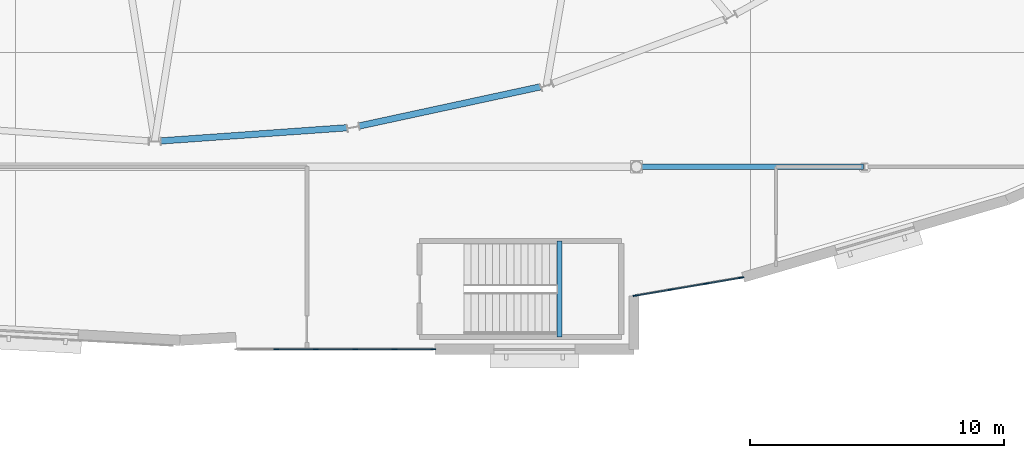
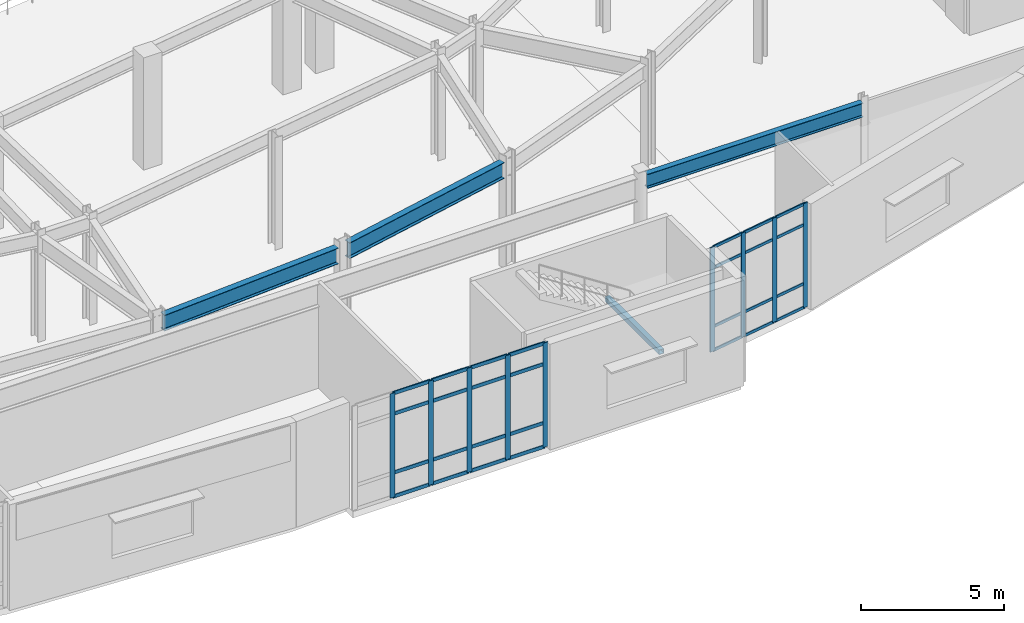
# One storey, part 36 of 86: 37 members, 4 beams, 2 elements without a shape of their own.
"""IFC4 building model written with IfcOpenShell, lengths in metres."""

import ifcopenshell
import ifcopenshell.guid

model = None  # the IFC model being written
_history = None  # IfcOwnerHistory: only IFC2X3 demands one
_inside = {}  # id of a spatial element -> (the spatial element, [elements in it])
_under = {}  # id of a project, library or spatial element -> (it, [spatial elements below it])
_declared = {}  # id of a project -> (the project, [libraries it declares])
_typed = {}  # id of a type object -> (the type object, [elements of that type])
_made_of = {}  # id of a material, layer set ... -> (it, [elements and type objects made of it])


def new_model(schema):
    """Start an empty IFC model of exactly this schema.

    Asked for "IFC4X3", IfcOpenShell would pick the latest addendum, in which some entities
    have other attributes; the version numbers below select the first issue.
    IFC2X3 requires an IfcOwnerHistory on every rooted entity: one is made here for all.
    """
    global model, _history
    if schema == "IFC4X3":
        model = ifcopenshell.file(schema_version=(4, 3, 0, 0))
    else:
        model = ifcopenshell.file(schema=schema)
    _inside.clear()
    _under.clear()
    _declared.clear()
    _typed.clear()
    _made_of.clear()
    _history = None
    if model.schema == "IFC2X3":
        org = make("IfcOrganization", Name="unknown")
        user = make(
            "IfcPersonAndOrganization",
            ThePerson=make("IfcPerson", FamilyName="unknown"),
            TheOrganization=org,
        )
        app = make(
            "IfcApplication",
            ApplicationDeveloper=org,
            Version="unknown",
            ApplicationFullName="unknown",
            ApplicationIdentifier="unknown",
        )
        _history = make(
            "IfcOwnerHistory",
            OwningUser=user,
            OwningApplication=app,
            ChangeAction="ADDED",
            CreationDate=0,
        )
    return model


def make(cls, **values):
    """One entity of the class cls with the attributes given. An attribute that is None is left unset."""
    return model.create_entity(
        cls, **{name: value for name, value in values.items() if value is not None}
    )


def rooted(cls, **values):
    """An entity with a GlobalId (a new one), such as an element, a storey or a relation."""
    return make(cls, GlobalId=ifcopenshell.guid.new(), OwnerHistory=_history, **values)


def si_unit(unit_type, name, prefix=None):
    """IfcSIUnit, for example si_unit("LENGTHUNIT", "METRE", prefix="MILLI")."""
    return make("IfcSIUnit", UnitType=unit_type, Prefix=prefix, Name=name)


def assignment(units):
    """IfcUnitAssignment: the units of a project."""
    return None if units is None else make("IfcUnitAssignment", Units=units)


def point(xyz):
    """IfcCartesianPoint."""
    return None if xyz is None else make("IfcCartesianPoint", Coordinates=xyz)


def direction(xyz):
    """IfcDirection."""
    return None if xyz is None else make("IfcDirection", DirectionRatios=xyz)


def frame(location, z_axis=None, x_axis=None):
    """IfcAxis2Placement3D, a coordinate frame: its origin and axes. An axis left out is left unset."""
    return make(
        "IfcAxis2Placement3D",
        Location=point(location),
        Axis=direction(z_axis),
        RefDirection=direction(x_axis),
    )


def frame_2d(location, x_axis=None):
    """IfcAxis2Placement2D, a coordinate frame in the plane: its origin and x axis."""
    return make(
        "IfcAxis2Placement2D", Location=point(location), RefDirection=direction(x_axis)
    )


def origin():
    """The frame at (0, 0, 0) with its axes left unset."""
    return frame((0.0, 0.0, 0.0))


def origin_2d():
    """The frame at (0, 0) in the plane with its x axis left unset."""
    return frame_2d((0.0, 0.0))


def place(relative_to, where):
    """IfcLocalPlacement: puts the frame where relative to a parent placement (None: the world)."""
    return make(
        "IfcLocalPlacement", PlacementRelTo=relative_to, RelativePlacement=where
    )


def context(
    kind, dimensions, precision=None, world=None, true_north=None, identifier=None
):
    """IfcGeometricRepresentationContext, for example the 3D "Model" context."""
    return make(
        "IfcGeometricRepresentationContext",
        ContextIdentifier=identifier,
        ContextType=kind,
        CoordinateSpaceDimension=dimensions,
        Precision=precision,
        WorldCoordinateSystem=world,
        TrueNorth=true_north,
    )


def subcontext(parent, identifier, kind, view, scale=None):
    """IfcGeometricRepresentationSubContext, for example "Body" below "Model"."""
    return make(
        "IfcGeometricRepresentationSubContext",
        ContextIdentifier=identifier,
        ContextType=kind,
        ParentContext=parent,
        TargetScale=scale,
        TargetView=view,
    )


def project(units=None, contexts=None):
    """IfcProject with its units and contexts."""
    return rooted(
        "IfcProject",
        Name="project",
        RepresentationContexts=contexts,
        UnitsInContext=assignment(units),
    )


def spatial(cls, under=None, at=None, **own):
    """A site, building, storey or space (cls), placed at a placement, below another one or the project."""
    s = rooted(cls, ObjectPlacement=at, **own)
    if under is not None:
        _under.setdefault(under.id(), (under, []))[1].append(s)
    return s


def profile(cls, at=None, kind="AREA", **sizes):
    """A parametric profile (cls). Its sizes go by their IFC names, for example OverallWidth=200.0."""
    return make(cls, ProfileType=kind, Position=at, **sizes)


def rectangle(**sizes):
    """IfcRectangleProfileDef."""
    return profile("IfcRectangleProfileDef", **sizes)


def hollow_rectangle(**sizes):
    """IfcRectangleHollowProfileDef."""
    return profile("IfcRectangleHollowProfileDef", **sizes)


def i_section(**sizes):
    """IfcIShapeProfileDef."""
    return profile("IfcIShapeProfileDef", **sizes)


def extrude(swept, where, along, depth):
    """IfcExtrudedAreaSolid: the profile swept, set in the frame where, extruded along a direction by depth."""
    return make(
        "IfcExtrudedAreaSolid",
        SweptArea=swept,
        Position=where,
        ExtrudedDirection=direction(along),
        Depth=depth,
    )


def shape(context_of_items, identifier, shape_type, items):
    """IfcShapeRepresentation: the items that make up one representation, for example the "Body"."""
    return make(
        "IfcShapeRepresentation",
        ContextOfItems=context_of_items,
        RepresentationIdentifier=identifier,
        RepresentationType=shape_type,
        Items=items,
    )


def material(Name=None, Category=None):
    """IfcMaterial."""
    return make("IfcMaterial", Name=Name, Category=Category)


def material_profile(
    of_material, cross_section, Name=None, Category=None, Priority=None
):
    """IfcMaterialProfile: a cross section and its material."""
    return make(
        "IfcMaterialProfile",
        Name=Name,
        Material=of_material,
        Profile=cross_section,
        Priority=Priority,
        Category=Category,
    )


def profile_set(profiles, Name=None, composite=None):
    """IfcMaterialProfileSet."""
    return make(
        "IfcMaterialProfileSet",
        Name=Name,
        MaterialProfiles=profiles,
        CompositeProfile=composite,
    )


def made_of(thing, what):
    """Note that an element or type object is made of a material, layer set ...; save() writes the relation."""
    if what is not None:
        _made_of.setdefault(what.id(), (what, []))[1].append(thing)
    return thing


def type_object(cls, material=None, **own):
    """A type object (cls), such as IfcWallType, which elements share."""
    return made_of(rooted(cls, **own), material)


def element(
    cls,
    number,
    at=None,
    inside=None,
    cuts=None,
    type_object=None,
    material=None,
    context=None,
    identifier="Body",
    shape_type=None,
    held_by="IfcProductDefinitionShape",
    body=None,
    shapes=None,
    **own,
):
    """One element of the class cls, such as IfcWall. Its Tag is "e" and its number.

    at: its placement. inside: the storey or other place that contains it. cuts: it is an
    opening in that element (IfcRelVoidsElement). A single representation is given by context,
    identifier, shape_type and body (its items); several are given by shapes. held_by: the class
    of the entity that holds the representations. save() writes the other relations.
    """
    e = rooted(cls, Tag="e%d" % number, ObjectPlacement=at, **own)
    if body is not None:
        shapes = [shape(context, identifier, shape_type, body)]
    if shapes is not None:
        e.Representation = make(held_by, Representations=shapes)
    if inside is not None:
        _inside.setdefault(inside.id(), (inside, []))[1].append(e)
    if cuts is not None:
        rooted(
            "IfcRelVoidsElement", RelatingBuildingElement=cuts, RelatedOpeningElement=e
        )
    if type_object is not None:
        _typed.setdefault(type_object.id(), (type_object, []))[1].append(e)
    return made_of(e, material)


def aggregate(whole, parts):
    """IfcRelAggregates: a whole, such as a stair, and the parts it consists of."""
    return rooted("IfcRelAggregates", RelatingObject=whole, RelatedObjects=parts)


def save(model, path):
    """Write the relations noted so far, then the file.

    IfcRelAggregates (storeys below a building ...), IfcRelContainedInSpatialStructure (elements
    in a storey), IfcRelDefinesByType, IfcRelAssociatesMaterial and IfcRelDeclares: one each for
    every whole, place, type object, material and project.
    """
    for whole, parts in _under.values():
        aggregate(whole, parts)
    for where, things in _inside.values():
        rooted(
            "IfcRelContainedInSpatialStructure",
            RelatedElements=things,
            RelatingStructure=where,
        )
    for kind, things in _typed.values():
        rooted("IfcRelDefinesByType", RelatedObjects=things, RelatingType=kind)
    for what, things in _made_of.values():
        rooted("IfcRelAssociatesMaterial", RelatedObjects=things, RelatingMaterial=what)
    for by, libraries in _declared.values():
        rooted("IfcRelDeclares", RelatingContext=by, RelatedDefinitions=libraries)
    model.write(path)


model = new_model("IFC4")

# Units and contexts
model_context = context("Model", 3, precision=1e-05, world=origin(), true_north=direction((0.0, 1.0)))
body_context = subcontext(model_context, "Body", "Model", "MODEL_VIEW")
ifc_project = project(units=[si_unit("LENGTHUNIT", "METRE"), si_unit("AREAUNIT", "SQUARE_METRE"), si_unit("VOLUMEUNIT", "CUBIC_METRE"), si_unit("PLANEANGLEUNIT", "RADIAN"), si_unit("MASSUNIT", "GRAM", prefix="KILO")], contexts=[model_context])

# Site, building, storey
site_placement = place(None, origin())
site = spatial("IfcSite", under=ifc_project, at=site_placement, CompositionType="ELEMENT")
building_placement = place(site_placement, origin())
building = spatial("IfcBuilding", under=site, at=building_placement, Name="Glasvene Arena", CompositionType="ELEMENT")
storey_placement = place(building_placement, frame((0.0, 0.0, 5.39990234375)))
storey = spatial("IfcBuildingStorey", under=building, at=storey_placement, Name="L01", CompositionType="ELEMENT", Elevation=5.39990234375)

# Beams
ifc_material_1 = material(Name="Steel S355J2", Category="steel")
ifc_material_profile_1 = material_profile(ifc_material_1, i_section(OverallWidth=0.228271484375, OverallDepth=0.607666015625, WebThickness=0.010986328125, FlangeThickness=0.017333984375, FilletRadius=0.0126953125, at=origin_2d()), Name="UKB 610x229x113")
ifc_profile_set_1 = profile_set([ifc_material_profile_1], Name="Steel S355J2")
beam_type_1 = type_object("IfcBeamType", Name="BM-GIRD-610", PredefinedType="BEAM", material=ifc_profile_set_1)
beam_1_placement = place(storey_placement, frame((111.223388671875, 27.0, 4.21630859375), z_axis=(1.0, 0.0, 0.0), x_axis=(0.0, 1.0, 0.0)))
element("IfcBeam", 1, at=beam_1_placement, inside=storey, type_object=beam_type_1, Name="Primary X girder L01-0548", PredefinedType="BEAM", context=body_context, shape_type="SweptSolid", body=[
    extrude(i_section(OverallWidth=0.228271484375, OverallDepth=0.607666015625, WebThickness=0.010986328125, FlangeThickness=0.017333984375, FilletRadius=0.0126953125, at=origin_2d()), origin(), (0.0, 0.0, 1.0), 8.7265625),
])
ifc_material_profile_2 = material_profile(ifc_material_1, i_section(OverallWidth=0.253662109375, OverallDepth=0.68359375, WebThickness=0.012451171875, FlangeThickness=0.01904296875, FilletRadius=0.01513671875, at=origin_2d()), Name="UKB 686x254x140")
ifc_profile_set_2 = profile_set([ifc_material_profile_2], Name="Steel S355J2")
beam_type_2 = type_object("IfcBeamType", Name="BM-GIRD-686", PredefinedType="BEAM", material=ifc_profile_set_2)
beam_2_placement = place(storey_placement, frame((92.239501953125, 28.01708984375, 4.178466796875), z_axis=(0.997501616337, 0.070643650844, 0.0), x_axis=(-0.070643650844, 0.997501616337, 0.0)))
element("IfcBeam", 2, at=beam_2_placement, inside=storey, type_object=beam_type_2, Name="Bowl ring chord beam L01-31", PredefinedType="BEAM", context=body_context, shape_type="SweptSolid", body=[
    extrude(i_section(OverallWidth=0.253662109375, OverallDepth=0.68359375, WebThickness=0.012451171875, FlangeThickness=0.01904296875, FilletRadius=0.01513671875, at=origin_2d()), origin(), (0.0, 0.0, 1.0), 7.361083984375),
])
beam_3_placement = place(storey_placement, frame((100.056396484375, 28.604736328125, 4.178466796875), z_axis=(0.97744150895, 0.211206289161, 0.0), x_axis=(-0.211206289161, 0.97744150895, 0.0)))
element("IfcBeam", 3, at=beam_3_placement, inside=storey, type_object=beam_type_2, Name="Bowl ring chord beam L01-32", PredefinedType="BEAM", context=body_context, shape_type="SweptSolid", body=[
    extrude(i_section(OverallWidth=0.253662109375, OverallDepth=0.68359375, WebThickness=0.012451171875, FlangeThickness=0.01904296875, FilletRadius=0.01513671875, at=origin_2d()), origin(), (0.0, 0.0, 1.0), 7.3251953125),
])
ifc_material_profile_3 = material_profile(ifc_material_1, hollow_rectangle(XDim=0.199951171875, YDim=0.199951171875, WallThickness=0.010009765625, at=origin_2d()), Name="SHS 200x200x10.0")
ifc_profile_set_3 = profile_set([ifc_material_profile_3], Name="Steel S355J2")
beam_type_3 = type_object("IfcBeamType", Name="BM-LINTEL-200", PredefinedType="LINTEL", material=ifc_profile_set_3)
beam_4_placement = place(storey_placement, frame((107.9599609375, 20.280029296875, 2.080078125), z_axis=(0.0, 1.0, 0.0), x_axis=(-1.0, 0.0, 0.0)))
element("IfcBeam", 4, at=beam_4_placement, inside=storey, type_object=beam_type_3, Name="Stair half-landing support beam ST-09-L01", PredefinedType="LINTEL", context=body_context, shape_type="SweptSolid", body=[
    extrude(hollow_rectangle(XDim=0.199951171875, YDim=0.199951171875, WallThickness=0.010009765625, at=origin_2d()), origin(), (0.0, 0.0, 1.0), 3.7900390625),
])

# Curtain wall, members
ifc_material_2 = material(Name="Low-emissivity laminated double glazing", Category="glass")
curtain_wall_type_1 = type_object("IfcCurtainWallType", Name="CW-FAC-L01-428x446", PredefinedType="USERDEFINED", material=ifc_material_2)
curtain_wall_1_placement = place(storey_placement, frame((115.16357421875, 22.632080078125, 0.0)))
curtain_wall_1 = element("IfcCurtainWall", 5, at=curtain_wall_1_placement, inside=storey, type_object=curtain_wall_type_1, Name="Unitised curtain wall CW-F-L01-180-1131-223-40", ObjectType="CURTAIN WALL", PredefinedType="USERDEFINED")
ifc_material_3 = material(Name="Anodised architectural aluminium", Category="aluminium")
ifc_material_profile_4 = material_profile(ifc_material_3, rectangle(XDim=0.050048828125, YDim=0.199951171875, at=origin_2d()), Name="ALU MULLION 50x200")
ifc_profile_set_4 = profile_set([ifc_material_profile_4], Name="Anodised architectural aluminium")
member_type_1 = type_object("IfcMemberType", Name="CW-MUL-180", PredefinedType="MULLION", material=ifc_profile_set_4)
member_1_placement = place(storey_placement, frame((115.138916015625, 22.6279296875, 0.06005859375), z_axis=(0.0, 0.0, 1.0), x_axis=(0.167505439181, -0.985871151746, 0.0)))
member_1 = element("IfcMember", 6, at=member_1_placement, type_object=member_type_1, Name="CW-012 mullion 1", PredefinedType="MULLION", context=body_context, shape_type="SweptSolid", body=[
    extrude(rectangle(XDim=0.050048828125, YDim=0.199951171875, at=origin_2d()), origin(), (0.0, 0.0, 1.0), 4.4599609375),
])
member_2_placement = place(storey_placement, frame((113.75537109375, 22.392822265625, 0.06005859375), z_axis=(0.0, 0.0, 1.0), x_axis=(0.167505439181, -0.985871151746, 0.0)))
member_2 = element("IfcMember", 7, at=member_2_placement, type_object=member_type_1, Name="CW-012 mullion 2", PredefinedType="MULLION", context=body_context, shape_type="SweptSolid", body=[
    extrude(rectangle(XDim=0.050048828125, YDim=0.199951171875, at=origin_2d()), origin(), (0.0, 0.0, 1.0), 4.4599609375),
])
member_3_placement = place(storey_placement, frame((112.347412109375, 22.153564453125, 0.06005859375), z_axis=(0.0, 0.0, 1.0), x_axis=(0.167505439181, -0.985871151746, 0.0)))
member_3 = element("IfcMember", 8, at=member_3_placement, type_object=member_type_1, Name="CW-012 mullion 3", PredefinedType="MULLION", context=body_context, shape_type="SweptSolid", body=[
    extrude(rectangle(XDim=0.050048828125, YDim=0.199951171875, at=origin_2d()), origin(), (0.0, 0.0, 1.0), 4.4599609375),
])
member_4_placement = place(storey_placement, frame((110.964111328125, 21.918701171875, 0.06005859375), z_axis=(0.0, 0.0, 1.0), x_axis=(0.167505439181, -0.985871151746, 0.0)))
member_4 = element("IfcMember", 9, at=member_4_placement, type_object=member_type_1, Name="CW-012 mullion 4", PredefinedType="MULLION", context=body_context, shape_type="SweptSolid", body=[
    extrude(rectangle(XDim=0.050048828125, YDim=0.199951171875, at=origin_2d()), origin(), (0.0, 0.0, 1.0), 4.4599609375),
])

curtain_wall_type_2 = type_object("IfcCurtainWallType", Name="CW-FAC-L01-777x446", PredefinedType="USERDEFINED", material=ifc_material_2)
curtain_wall_2_placement = place(storey_placement, frame((103.010009765625, 19.800048828125, 0.0)))
curtain_wall_2 = element("IfcCurtainWall", 10, at=curtain_wall_2_placement, inside=storey, type_object=curtain_wall_type_2, Name="Unitised curtain wall CW-F-L01-180-991-198-43", ObjectType="CURTAIN WALL", PredefinedType="USERDEFINED")
member_5_placement = place(storey_placement, frame((102.985107421875, 19.800048828125, 0.06005859375), z_axis=(0.0, 0.0, 1.0), x_axis=(0.0, -1.0, 0.0)))
member_5 = element("IfcMember", 11, at=member_5_placement, type_object=member_type_1, Name="CW-013 mullion 1", PredefinedType="MULLION", context=body_context, shape_type="SweptSolid", body=[
    extrude(rectangle(XDim=0.050048828125, YDim=0.199951171875, at=origin_2d()), origin(), (0.0, 0.0, 1.0), 4.4599609375),
])
member_6_placement = place(storey_placement, frame((101.4560546875, 19.800048828125, 0.06005859375), z_axis=(0.0, 0.0, 1.0), x_axis=(0.0, -1.0, 0.0)))
member_6 = element("IfcMember", 12, at=member_6_placement, type_object=member_type_1, Name="CW-013 mullion 2", PredefinedType="MULLION", context=body_context, shape_type="SweptSolid", body=[
    extrude(rectangle(XDim=0.050048828125, YDim=0.199951171875, at=origin_2d()), origin(), (0.0, 0.0, 1.0), 4.4599609375),
])
member_7_placement = place(storey_placement, frame((99.902099609375, 19.800048828125, 0.06005859375), z_axis=(0.0, 0.0, 1.0), x_axis=(0.0, -1.0, 0.0)))
member_7 = element("IfcMember", 13, at=member_7_placement, type_object=member_type_1, Name="CW-013 mullion 3", PredefinedType="MULLION", context=body_context, shape_type="SweptSolid", body=[
    extrude(rectangle(XDim=0.050048828125, YDim=0.199951171875, at=origin_2d()), origin(), (0.0, 0.0, 1.0), 4.4599609375),
])
member_8_placement = place(storey_placement, frame((98.347900390625, 19.800048828125, 0.06005859375), z_axis=(0.0, 0.0, 1.0), x_axis=(0.0, -1.0, 0.0)))
member_8 = element("IfcMember", 14, at=member_8_placement, type_object=member_type_1, Name="CW-013 mullion 4", PredefinedType="MULLION", context=body_context, shape_type="SweptSolid", body=[
    extrude(rectangle(XDim=0.050048828125, YDim=0.199951171875, at=origin_2d()), origin(), (0.0, 0.0, 1.0), 4.4599609375),
])
member_9_placement = place(storey_placement, frame((96.7939453125, 19.800048828125, 0.06005859375), z_axis=(0.0, 0.0, 1.0), x_axis=(0.0, -1.0, 0.0)))
member_9 = element("IfcMember", 15, at=member_9_placement, type_object=member_type_1, Name="CW-013 mullion 5", PredefinedType="MULLION", context=body_context, shape_type="SweptSolid", body=[
    extrude(rectangle(XDim=0.050048828125, YDim=0.199951171875, at=origin_2d()), origin(), (0.0, 0.0, 1.0), 4.4599609375),
])

# Member
ifc_material_profile_5 = material_profile(ifc_material_3, rectangle(XDim=0.050048828125, YDim=0.1201171875, at=origin_2d()), Name="ALU TRANSOM 50x120")
ifc_profile_set_5 = profile_set([ifc_material_profile_5], Name="Anodised architectural aluminium")
member_type_2 = type_object("IfcMemberType", Name="CW-TRN-120", PredefinedType="USERDEFINED", material=ifc_profile_set_5)
member_10_placement = place(storey_placement, frame((115.1142578125, 22.623779296875, 0.085205078125), z_axis=(-0.985857336917, -0.167586727538, 0.0), x_axis=(0.167586727538, -0.985857336917, 0.0)))
member_10 = element("IfcMember", 16, at=member_10_placement, type_object=member_type_2, Name="CW-012 transom 1.1", ObjectType="TRANSOM", PredefinedType="USERDEFINED", context=body_context, shape_type="SweptSolid", body=[
    extrude(rectangle(XDim=0.050048828125, YDim=0.1201171875, at=origin_2d()), origin(), (0.0, 0.0, 1.0), 1.353271484375),
])

member_11_placement = place(storey_placement, frame((115.1142578125, 22.623779296875, 1.10009765625), z_axis=(-0.985857336917, -0.167586727538, 0.0), x_axis=(0.167586727538, -0.985857336917, 0.0)))
member_11 = element("IfcMember", 17, at=member_11_placement, type_object=member_type_2, Name="CW-012 transom 1.2", ObjectType="TRANSOM", PredefinedType="USERDEFINED", context=body_context, shape_type="SweptSolid", body=[
    extrude(rectangle(XDim=0.050048828125, YDim=0.1201171875, at=origin_2d()), origin(), (0.0, 0.0, 1.0), 1.353271484375),
])

member_12_placement = place(storey_placement, frame((115.1142578125, 22.623779296875, 3.6201171875), z_axis=(-0.985857336917, -0.167586727538, 0.0), x_axis=(0.167586727538, -0.985857336917, 0.0)))
member_12 = element("IfcMember", 18, at=member_12_placement, type_object=member_type_2, Name="CW-012 transom 1.3", ObjectType="TRANSOM", PredefinedType="USERDEFINED", context=body_context, shape_type="SweptSolid", body=[
    extrude(rectangle(XDim=0.050048828125, YDim=0.1201171875, at=origin_2d()), origin(), (0.0, 0.0, 1.0), 1.353271484375),
])

member_13_placement = place(storey_placement, frame((115.1142578125, 22.623779296875, 4.4951171875), z_axis=(-0.985857336917, -0.167586727538, 0.0), x_axis=(0.167586727538, -0.985857336917, 0.0)))
member_13 = element("IfcMember", 19, at=member_13_placement, type_object=member_type_2, Name="CW-012 transom 1.4", ObjectType="TRANSOM", PredefinedType="USERDEFINED", context=body_context, shape_type="SweptSolid", body=[
    extrude(rectangle(XDim=0.050048828125, YDim=0.1201171875, at=origin_2d()), origin(), (0.0, 0.0, 1.0), 1.353271484375),
])

member_14_placement = place(storey_placement, frame((113.730712890625, 22.388671875, 0.085205078125), z_axis=(-0.985857310139, -0.167586885066, 0.0), x_axis=(0.167586885066, -0.985857310139, 0.0)))
member_14 = element("IfcMember", 20, at=member_14_placement, type_object=member_type_2, Name="CW-012 transom 2.1", ObjectType="TRANSOM", PredefinedType="USERDEFINED", context=body_context, shape_type="SweptSolid", body=[
    extrude(rectangle(XDim=0.050048828125, YDim=0.1201171875, at=origin_2d()), origin(), (0.0, 0.0, 1.0), 1.378173828125),
])

member_15_placement = place(storey_placement, frame((113.730712890625, 22.388671875, 1.10009765625), z_axis=(-0.985857310139, -0.167586885066, 0.0), x_axis=(0.167586885066, -0.985857310139, 0.0)))
member_15 = element("IfcMember", 21, at=member_15_placement, type_object=member_type_2, Name="CW-012 transom 2.2", ObjectType="TRANSOM", PredefinedType="USERDEFINED", context=body_context, shape_type="SweptSolid", body=[
    extrude(rectangle(XDim=0.050048828125, YDim=0.1201171875, at=origin_2d()), origin(), (0.0, 0.0, 1.0), 1.378173828125),
])

member_16_placement = place(storey_placement, frame((113.730712890625, 22.388671875, 3.6201171875), z_axis=(-0.985857310139, -0.167586885066, 0.0), x_axis=(0.167586885066, -0.985857310139, 0.0)))
member_16 = element("IfcMember", 22, at=member_16_placement, type_object=member_type_2, Name="CW-012 transom 2.3", ObjectType="TRANSOM", PredefinedType="USERDEFINED", context=body_context, shape_type="SweptSolid", body=[
    extrude(rectangle(XDim=0.050048828125, YDim=0.1201171875, at=origin_2d()), origin(), (0.0, 0.0, 1.0), 1.378173828125),
])

member_17_placement = place(storey_placement, frame((113.730712890625, 22.388671875, 4.4951171875), z_axis=(-0.985857310139, -0.167586885066, 0.0), x_axis=(0.167586885066, -0.985857310139, 0.0)))
member_17 = element("IfcMember", 23, at=member_17_placement, type_object=member_type_2, Name="CW-012 transom 2.4", ObjectType="TRANSOM", PredefinedType="USERDEFINED", context=body_context, shape_type="SweptSolid", body=[
    extrude(rectangle(XDim=0.050048828125, YDim=0.1201171875, at=origin_2d()), origin(), (0.0, 0.0, 1.0), 1.378173828125),
])

member_18_placement = place(storey_placement, frame((112.32275390625, 22.1494140625, 0.085205078125), z_axis=(-0.985882069086, -0.167441171324, 0.0), x_axis=(0.167441171324, -0.985882069086, 0.0)))
member_18 = element("IfcMember", 24, at=member_18_placement, type_object=member_type_2, Name="CW-012 transom 3.1", ObjectType="TRANSOM", PredefinedType="USERDEFINED", context=body_context, shape_type="SweptSolid", body=[
    extrude(rectangle(XDim=0.050048828125, YDim=0.1201171875, at=origin_2d()), origin(), (0.0, 0.0, 1.0), 1.35302734375),
])

member_19_placement = place(storey_placement, frame((112.32275390625, 22.1494140625, 1.10009765625), z_axis=(-0.985882069086, -0.167441171324, 0.0), x_axis=(0.167441171324, -0.985882069086, 0.0)))
member_19 = element("IfcMember", 25, at=member_19_placement, type_object=member_type_2, Name="CW-012 transom 3.2", ObjectType="TRANSOM", PredefinedType="USERDEFINED", context=body_context, shape_type="SweptSolid", body=[
    extrude(rectangle(XDim=0.050048828125, YDim=0.1201171875, at=origin_2d()), origin(), (0.0, 0.0, 1.0), 1.35302734375),
])

member_20_placement = place(storey_placement, frame((112.32275390625, 22.1494140625, 3.6201171875), z_axis=(-0.985882069086, -0.167441171324, 0.0), x_axis=(0.167441171324, -0.985882069086, 0.0)))
member_20 = element("IfcMember", 26, at=member_20_placement, type_object=member_type_2, Name="CW-012 transom 3.3", ObjectType="TRANSOM", PredefinedType="USERDEFINED", context=body_context, shape_type="SweptSolid", body=[
    extrude(rectangle(XDim=0.050048828125, YDim=0.1201171875, at=origin_2d()), origin(), (0.0, 0.0, 1.0), 1.35302734375),
])

member_21_placement = place(storey_placement, frame((112.32275390625, 22.1494140625, 4.4951171875), z_axis=(-0.985882069086, -0.167441171324, 0.0), x_axis=(0.167441171324, -0.985882069086, 0.0)))
member_21 = element("IfcMember", 27, at=member_21_placement, type_object=member_type_2, Name="CW-012 transom 3.4", ObjectType="TRANSOM", PredefinedType="USERDEFINED", context=body_context, shape_type="SweptSolid", body=[
    extrude(rectangle(XDim=0.050048828125, YDim=0.1201171875, at=origin_2d()), origin(), (0.0, 0.0, 1.0), 1.35302734375),
])

aggregate(curtain_wall_1, [member_1, member_2, member_3, member_4, member_10, member_11, member_12, member_13, member_14, member_15, member_16, member_17, member_18, member_19, member_20, member_21])

ifc_material_profile_6 = material_profile(ifc_material_3, rectangle(XDim=0.050048828125, YDim=0.14990234375, at=origin_2d()), Name="ALU TRANSOM 50x150")
ifc_profile_set_6 = profile_set([ifc_material_profile_6], Name="Anodised architectural aluminium")
member_type_3 = type_object("IfcMemberType", Name="CW-TRN-150", PredefinedType="USERDEFINED", material=ifc_profile_set_6)
member_22_placement = place(storey_placement, frame((102.9599609375, 19.800048828125, 0.085205078125), z_axis=(-1.0, 0.0, 0.0), x_axis=(0.0, -1.0, 0.0)))
member_22 = element("IfcMember", 28, at=member_22_placement, type_object=member_type_3, Name="CW-013 transom 1.1", ObjectType="TRANSOM", PredefinedType="USERDEFINED", context=body_context, shape_type="SweptSolid", body=[
    extrude(rectangle(XDim=0.050048828125, YDim=0.14990234375, at=origin_2d()), origin(), (0.0, 0.0, 1.0), 1.47900390625),
])

member_23_placement = place(storey_placement, frame((102.9599609375, 19.800048828125, 1.10009765625), z_axis=(-1.0, 0.0, 0.0), x_axis=(0.0, -1.0, 0.0)))
member_23 = element("IfcMember", 29, at=member_23_placement, type_object=member_type_3, Name="CW-013 transom 1.2", ObjectType="TRANSOM", PredefinedType="USERDEFINED", context=body_context, shape_type="SweptSolid", body=[
    extrude(rectangle(XDim=0.050048828125, YDim=0.14990234375, at=origin_2d()), origin(), (0.0, 0.0, 1.0), 1.47900390625),
])

member_24_placement = place(storey_placement, frame((102.9599609375, 19.800048828125, 3.6201171875), z_axis=(-1.0, 0.0, 0.0), x_axis=(0.0, -1.0, 0.0)))
member_24 = element("IfcMember", 30, at=member_24_placement, type_object=member_type_3, Name="CW-013 transom 1.3", ObjectType="TRANSOM", PredefinedType="USERDEFINED", context=body_context, shape_type="SweptSolid", body=[
    extrude(rectangle(XDim=0.050048828125, YDim=0.14990234375, at=origin_2d()), origin(), (0.0, 0.0, 1.0), 1.47900390625),
])

member_25_placement = place(storey_placement, frame((102.9599609375, 19.800048828125, 4.4951171875), z_axis=(-1.0, 0.0, 0.0), x_axis=(0.0, -1.0, 0.0)))
member_25 = element("IfcMember", 31, at=member_25_placement, type_object=member_type_3, Name="CW-013 transom 1.4", ObjectType="TRANSOM", PredefinedType="USERDEFINED", context=body_context, shape_type="SweptSolid", body=[
    extrude(rectangle(XDim=0.050048828125, YDim=0.14990234375, at=origin_2d()), origin(), (0.0, 0.0, 1.0), 1.47900390625),
])

member_26_placement = place(storey_placement, frame((101.430908203125, 19.800048828125, 0.085205078125), z_axis=(-1.0, 0.0, 0.0), x_axis=(0.0, -1.0, 0.0)))
member_26 = element("IfcMember", 32, at=member_26_placement, type_object=member_type_3, Name="CW-013 transom 2.1", ObjectType="TRANSOM", PredefinedType="USERDEFINED", context=body_context, shape_type="SweptSolid", body=[
    extrude(rectangle(XDim=0.050048828125, YDim=0.14990234375, at=origin_2d()), origin(), (0.0, 0.0, 1.0), 1.50390625),
])

member_27_placement = place(storey_placement, frame((101.430908203125, 19.800048828125, 1.10009765625), z_axis=(-1.0, 0.0, 0.0), x_axis=(0.0, -1.0, 0.0)))
member_27 = element("IfcMember", 33, at=member_27_placement, type_object=member_type_3, Name="CW-013 transom 2.2", ObjectType="TRANSOM", PredefinedType="USERDEFINED", context=body_context, shape_type="SweptSolid", body=[
    extrude(rectangle(XDim=0.050048828125, YDim=0.14990234375, at=origin_2d()), origin(), (0.0, 0.0, 1.0), 1.50390625),
])

member_28_placement = place(storey_placement, frame((101.430908203125, 19.800048828125, 3.6201171875), z_axis=(-1.0, 0.0, 0.0), x_axis=(0.0, -1.0, 0.0)))
member_28 = element("IfcMember", 34, at=member_28_placement, type_object=member_type_3, Name="CW-013 transom 2.3", ObjectType="TRANSOM", PredefinedType="USERDEFINED", context=body_context, shape_type="SweptSolid", body=[
    extrude(rectangle(XDim=0.050048828125, YDim=0.14990234375, at=origin_2d()), origin(), (0.0, 0.0, 1.0), 1.50390625),
])

member_29_placement = place(storey_placement, frame((101.430908203125, 19.800048828125, 4.4951171875), z_axis=(-1.0, 0.0, 0.0), x_axis=(0.0, -1.0, 0.0)))
member_29 = element("IfcMember", 35, at=member_29_placement, type_object=member_type_3, Name="CW-013 transom 2.4", ObjectType="TRANSOM", PredefinedType="USERDEFINED", context=body_context, shape_type="SweptSolid", body=[
    extrude(rectangle(XDim=0.050048828125, YDim=0.14990234375, at=origin_2d()), origin(), (0.0, 0.0, 1.0), 1.50390625),
])

member_30_placement = place(storey_placement, frame((99.876953125, 19.800048828125, 0.085205078125), z_axis=(-1.0, 0.0, 0.0), x_axis=(0.0, -1.0, 0.0)))
member_30 = element("IfcMember", 36, at=member_30_placement, type_object=member_type_3, Name="CW-013 transom 3.1", ObjectType="TRANSOM", PredefinedType="USERDEFINED", context=body_context, shape_type="SweptSolid", body=[
    extrude(rectangle(XDim=0.050048828125, YDim=0.14990234375, at=origin_2d()), origin(), (0.0, 0.0, 1.0), 1.50390625),
])

member_31_placement = place(storey_placement, frame((99.876953125, 19.800048828125, 1.10009765625), z_axis=(-1.0, 0.0, 0.0), x_axis=(0.0, -1.0, 0.0)))
member_31 = element("IfcMember", 37, at=member_31_placement, type_object=member_type_3, Name="CW-013 transom 3.2", ObjectType="TRANSOM", PredefinedType="USERDEFINED", context=body_context, shape_type="SweptSolid", body=[
    extrude(rectangle(XDim=0.050048828125, YDim=0.14990234375, at=origin_2d()), origin(), (0.0, 0.0, 1.0), 1.50390625),
])

member_32_placement = place(storey_placement, frame((99.876953125, 19.800048828125, 3.6201171875), z_axis=(-1.0, 0.0, 0.0), x_axis=(0.0, -1.0, 0.0)))
member_32 = element("IfcMember", 38, at=member_32_placement, type_object=member_type_3, Name="CW-013 transom 3.3", ObjectType="TRANSOM", PredefinedType="USERDEFINED", context=body_context, shape_type="SweptSolid", body=[
    extrude(rectangle(XDim=0.050048828125, YDim=0.14990234375, at=origin_2d()), origin(), (0.0, 0.0, 1.0), 1.50390625),
])

member_33_placement = place(storey_placement, frame((99.876953125, 19.800048828125, 4.4951171875), z_axis=(-1.0, 0.0, 0.0), x_axis=(0.0, -1.0, 0.0)))
member_33 = element("IfcMember", 39, at=member_33_placement, type_object=member_type_3, Name="CW-013 transom 3.4", ObjectType="TRANSOM", PredefinedType="USERDEFINED", context=body_context, shape_type="SweptSolid", body=[
    extrude(rectangle(XDim=0.050048828125, YDim=0.14990234375, at=origin_2d()), origin(), (0.0, 0.0, 1.0), 1.50390625),
])

member_34_placement = place(storey_placement, frame((98.322998046875, 19.800048828125, 0.085205078125), z_axis=(-1.0, 0.0, 0.0), x_axis=(0.0, -1.0, 0.0)))
member_34 = element("IfcMember", 40, at=member_34_placement, type_object=member_type_3, Name="CW-013 transom 4.1", ObjectType="TRANSOM", PredefinedType="USERDEFINED", context=body_context, shape_type="SweptSolid", body=[
    extrude(rectangle(XDim=0.050048828125, YDim=0.14990234375, at=origin_2d()), origin(), (0.0, 0.0, 1.0), 1.50390625),
])

member_35_placement = place(storey_placement, frame((98.322998046875, 19.800048828125, 1.10009765625), z_axis=(-1.0, 0.0, 0.0), x_axis=(0.0, -1.0, 0.0)))
member_35 = element("IfcMember", 41, at=member_35_placement, type_object=member_type_3, Name="CW-013 transom 4.2", ObjectType="TRANSOM", PredefinedType="USERDEFINED", context=body_context, shape_type="SweptSolid", body=[
    extrude(rectangle(XDim=0.050048828125, YDim=0.14990234375, at=origin_2d()), origin(), (0.0, 0.0, 1.0), 1.50390625),
])

member_36_placement = place(storey_placement, frame((98.322998046875, 19.800048828125, 3.6201171875), z_axis=(-1.0, 0.0, 0.0), x_axis=(0.0, -1.0, 0.0)))
member_36 = element("IfcMember", 42, at=member_36_placement, type_object=member_type_3, Name="CW-013 transom 4.3", ObjectType="TRANSOM", PredefinedType="USERDEFINED", context=body_context, shape_type="SweptSolid", body=[
    extrude(rectangle(XDim=0.050048828125, YDim=0.14990234375, at=origin_2d()), origin(), (0.0, 0.0, 1.0), 1.50390625),
])

member_37_placement = place(storey_placement, frame((98.322998046875, 19.800048828125, 4.4951171875), z_axis=(-1.0, 0.0, 0.0), x_axis=(0.0, -1.0, 0.0)))
member_37 = element("IfcMember", 43, at=member_37_placement, type_object=member_type_3, Name="CW-013 transom 4.4", ObjectType="TRANSOM", PredefinedType="USERDEFINED", context=body_context, shape_type="SweptSolid", body=[
    extrude(rectangle(XDim=0.050048828125, YDim=0.14990234375, at=origin_2d()), origin(), (0.0, 0.0, 1.0), 1.50390625),
])

aggregate(curtain_wall_2, [member_5, member_6, member_7, member_8, member_9, member_22, member_23, member_24, member_25, member_26, member_27, member_28, member_29, member_30, member_31, member_32, member_33, member_34, member_35, member_36, member_37])

save(model, "model.ifc")
